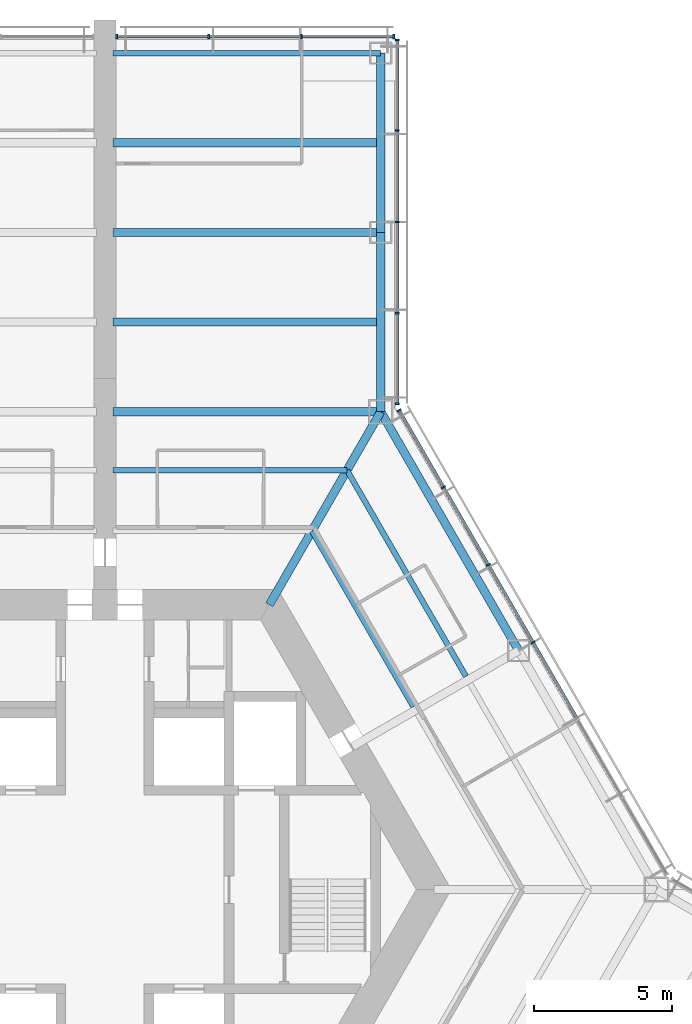
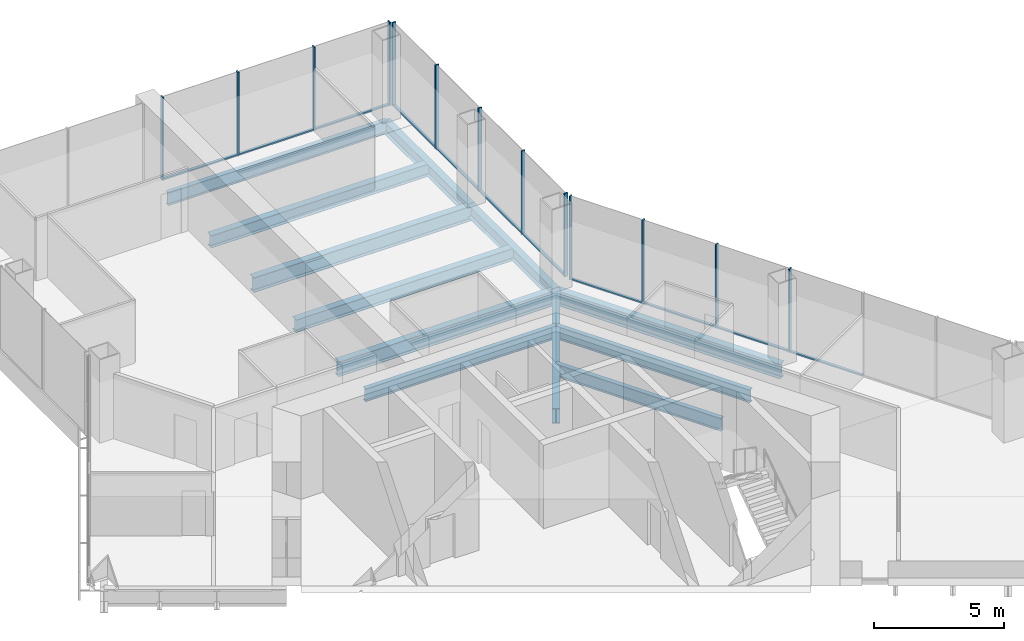
# One storey, part 8 of 18: 24 members, 12 beams, 3 elements without a shape of their own.
"""IFC4 building model written with IfcOpenShell, lengths in metres."""

from ifc_helpers import new_model, si_unit, direction, frame, origin, origin_2d, place, context, subcontext, project, spatial, rectangle, i_section, extrude, material, material_profile, profile_set, type_object, element, aggregate, save


model = new_model("IFC4")

# Units and contexts
model_context = context("Model", 3, precision=1e-05, world=origin(), true_north=direction((0.0, 1.0)))
body_context = subcontext(model_context, "Body", "Model", "MODEL_VIEW")
ifc_project = project(units=[si_unit("LENGTHUNIT", "METRE"), si_unit("AREAUNIT", "SQUARE_METRE"), si_unit("VOLUMEUNIT", "CUBIC_METRE"), si_unit("PLANEANGLEUNIT", "RADIAN"), si_unit("MASSUNIT", "GRAM", prefix="KILO")], contexts=[model_context])

# Site, building, storey
site_placement = place(None, origin())
site = spatial("IfcSite", under=ifc_project, at=site_placement, CompositionType="ELEMENT")
building_placement = place(site_placement, origin())
building = spatial("IfcBuilding", under=site, at=building_placement, Name="Kasaneha Research Tower", CompositionType="ELEMENT")
storey_placement = place(building_placement, frame((0.0, 0.0, 108.0)))
storey = spatial("IfcBuildingStorey", under=building, at=storey_placement, Name="L27", CompositionType="ELEMENT", Elevation=108.0)

# Beams
ifc_material_1 = material(Name="Steel SN490B", Category="steel")
ifc_material_profile_1 = material_profile(ifc_material_1, i_section(OverallWidth=0.199951171875, OverallDepth=0.60009765625, WebThickness=0.010986328125, FlangeThickness=0.01708984375, FilletRadius=0.012939453125, at=origin_2d()), Name="H-600x200x11x17")
ifc_profile_set_1 = profile_set([ifc_material_profile_1], Name="Steel SN490B")
beam_type_1 = type_object("IfcBeamType", Name="B1-3 secondary beam H-600x200x11x17", PredefinedType="JOIST", material=ifc_profile_set_1)
beam_1_placement = place(storey_placement, frame((7.505615234375, 13.0, -0.449951171875), z_axis=(0.499994443168, -0.866028611999, 0.0), x_axis=(0.866028611999, 0.499994443168, 0.0)))
element("IfcBeam", 1, at=beam_1_placement, inside=storey, type_object=beam_type_1, Name="Secondary beam RS030R1 L27", PredefinedType="JOIST", context=body_context, shape_type="SweptSolid", body=[
    extrude(i_section(OverallWidth=0.199951171875, OverallDepth=0.60009765625, WebThickness=0.010986328125, FlangeThickness=0.01708984375, FilletRadius=0.012939453125, at=origin_2d()), origin(), (0.0, 0.0, 1.0), 7.35546875),
])
beam_2_placement = place(storey_placement, frame((8.775634765625, 15.199951171875, -0.449951171875), z_axis=(0.500017275495, -0.866015429543, 0.0), x_axis=(0.866015429543, 0.500017275495, 0.0)))
element("IfcBeam", 2, at=beam_2_placement, inside=storey, type_object=beam_type_1, Name="Secondary beam RS030R2 L27", PredefinedType="JOIST", context=body_context, shape_type="SweptSolid", body=[
    extrude(i_section(OverallWidth=0.199951171875, OverallDepth=0.60009765625, WebThickness=0.010986328125, FlangeThickness=0.01708984375, FilletRadius=0.012939453125, at=origin_2d()), origin(), (0.0, 0.0, 1.0), 8.625732421875),
])
beam_3_placement = place(storey_placement, frame((8.775634765625, 15.199951171875, -0.449951171875), z_axis=(-1.0, 0.0, 0.0), x_axis=(0.0, -1.0, 0.0)))
element("IfcBeam", 3, at=beam_3_placement, inside=storey, type_object=beam_type_1, Name="Secondary beam RS090L2 L27", PredefinedType="JOIST", context=body_context, shape_type="SweptSolid", body=[
    extrude(i_section(OverallWidth=0.199951171875, OverallDepth=0.60009765625, WebThickness=0.010986328125, FlangeThickness=0.01708984375, FilletRadius=0.012939453125, at=origin_2d()), origin(), (0.0, 0.0, 1.0), 8.4755859375),
])
ifc_material_2 = material(Name="Steel SN490B", Category="steel")
ifc_material_profile_2 = material_profile(ifc_material_2, i_section(OverallWidth=0.300048828125, OverallDepth=0.58203125, WebThickness=0.011962890625, FlangeThickness=0.01708984375, FilletRadius=0.012939453125, at=origin_2d()), Name="H-582x300x12x17")
ifc_profile_set_2 = profile_set([ifc_material_profile_2], Name="Steel SN490B")
beam_type_2 = type_object("IfcBeamType", Name="B2-3 secondary beam H-582x300x12x17", PredefinedType="JOIST", material=ifc_profile_set_2)
for number, where, z_axis, x_axis, name in (
    (4, (10.0, 20.570556640625, -0.44091796875), (-1.0, 0.0, 0.0), (0.0, -1.0, 0.0), "Secondary beam WBAP1 L27"),
    (5, (10.0, 27.070556640625, -0.44091796875), (-1.0, 0.0, 0.0), (0.0, -1.0, 0.0), "Secondary beam WBAP2 L27"),
):
    element("IfcBeam", number, at=place(storey_placement, frame(where, z_axis=z_axis, x_axis=x_axis)), inside=storey, type_object=beam_type_2, Name=name, PredefinedType="JOIST", context=body_context, shape_type="SweptSolid", body=[
        extrude(i_section(OverallWidth=0.300048828125, OverallDepth=0.58203125, WebThickness=0.011962890625, FlangeThickness=0.01708984375, FilletRadius=0.012939453125, at=origin_2d()), origin(), (0.0, 0.0, 1.0), 9.699951171875),
    ])

# Curtain wall, members
ifc_material_3 = material(Name="Glass and aluminium", Category="aluminium")
curtain_wall_type = type_object("IfcCurtainWallType", Name="Low-rise office curtain wall", PredefinedType="USERDEFINED", material=ifc_material_3)
curtain_wall_1_placement = place(storey_placement, origin())
curtain_wall_1 = element("IfcCurtainWall", 6, at=curtain_wall_1_placement, inside=storey, type_object=curtain_wall_type, Name="CW-O1 L27 run 07a", ObjectType="UNITISED CURTAIN WALL", PredefinedType="USERDEFINED")
ifc_material_4 = material(Name="Aluminium 6063-T6", Category="aluminium")
ifc_material_profile_3 = material_profile(ifc_material_4, rectangle(XDim=0.06005859375, YDim=0.159912109375, at=origin_2d()), Name="CW-O1 mullion 60x160")
ifc_profile_set_3 = profile_set([ifc_material_profile_3], Name="Aluminium 6063-T6")
member_type_1 = type_object("IfcMemberType", Name="CW-O1 mullion", PredefinedType="MULLION", material=ifc_profile_set_3)
member_1_placement = place(storey_placement, frame((15.51953125, 8.960205078125, 0.0), z_axis=(0.0, 0.0, 1.0), x_axis=(-0.49999996188, 0.866025425793, 0.0)))
member_1 = element("IfcMember", 7, at=member_1_placement, type_object=member_type_1, Name="CW-O1 mullion 4", PredefinedType="MULLION", context=body_context, shape_type="SweptSolid", body=[
    extrude(rectangle(XDim=0.06005859375, YDim=0.159912109375, at=origin_2d()), origin(), (0.0, 0.0, 1.0), 3.89990234375),
])
member_2_placement = place(storey_placement, frame((13.896484375, 11.771728515625, 0.0), z_axis=(0.0, 0.0, 1.0), x_axis=(-0.49999996188, 0.866025425793, 0.0)))
member_2 = element("IfcMember", 8, at=member_2_placement, type_object=member_type_1, Name="CW-O1 mullion 5", PredefinedType="MULLION", context=body_context, shape_type="SweptSolid", body=[
    extrude(rectangle(XDim=0.06005859375, YDim=0.159912109375, at=origin_2d()), origin(), (0.0, 0.0, 1.0), 3.89990234375),
])
member_3_placement = place(storey_placement, frame((12.273193359375, 14.583251953125, 0.0), z_axis=(0.0, 0.0, 1.0), x_axis=(-0.49999996188, 0.866025425793, 0.0)))
member_3 = element("IfcMember", 9, at=member_3_placement, type_object=member_type_1, Name="CW-O1 mullion 6", PredefinedType="MULLION", context=body_context, shape_type="SweptSolid", body=[
    extrude(rectangle(XDim=0.06005859375, YDim=0.159912109375, at=origin_2d()), origin(), (0.0, 0.0, 1.0), 3.89990234375),
])
member_4_placement = place(storey_placement, frame((10.6650390625, 17.36865234375, 0.0), z_axis=(0.0, 0.0, 1.0), x_axis=(-0.49999996188, 0.866025425793, 0.0)))
member_4 = element("IfcMember", 10, at=member_4_placement, type_object=member_type_1, Name="CW-O1 mullion 7", PredefinedType="MULLION", context=body_context, shape_type="SweptSolid", body=[
    extrude(rectangle(XDim=0.06005859375, YDim=0.159912109375, at=origin_2d()), origin(), (0.0, 0.0, 1.0), 3.89990234375),
])

curtain_wall_2_placement = place(storey_placement, origin())
curtain_wall_2 = element("IfcCurtainWall", 11, at=curtain_wall_2_placement, inside=storey, type_object=curtain_wall_type, Name="CW-O1 L27 run 08a", ObjectType="UNITISED CURTAIN WALL", PredefinedType="USERDEFINED")
member_5_placement = place(storey_placement, frame((10.60009765625, 17.611328125, 0.0), z_axis=(0.0, 0.0, 1.0), x_axis=(0.0, 1.0, 0.0)))
member_5 = element("IfcMember", 12, at=member_5_placement, type_object=member_type_1, Name="CW-O1 mullion 1", PredefinedType="MULLION", context=body_context, shape_type="SweptSolid", body=[
    extrude(rectangle(XDim=0.06005859375, YDim=0.159912109375, at=origin_2d()), origin(), (0.0, 0.0, 1.0), 3.89990234375),
])
member_6_placement = place(storey_placement, frame((10.60009765625, 20.89111328125, 0.0), z_axis=(0.0, 0.0, 1.0), x_axis=(0.0, 1.0, 0.0)))
member_6 = element("IfcMember", 13, at=member_6_placement, type_object=member_type_1, Name="CW-O1 mullion 2", PredefinedType="MULLION", context=body_context, shape_type="SweptSolid", body=[
    extrude(rectangle(XDim=0.06005859375, YDim=0.159912109375, at=origin_2d()), origin(), (0.0, 0.0, 1.0), 3.89990234375),
])
member_7_placement = place(storey_placement, frame((10.60009765625, 24.200927734375, 0.0), z_axis=(0.0, 0.0, 1.0), x_axis=(0.0, 1.0, 0.0)))
member_7 = element("IfcMember", 14, at=member_7_placement, type_object=member_type_1, Name="CW-O1 mullion 3", PredefinedType="MULLION", context=body_context, shape_type="SweptSolid", body=[
    extrude(rectangle(XDim=0.06005859375, YDim=0.159912109375, at=origin_2d()), origin(), (0.0, 0.0, 1.0), 3.89990234375),
])
member_8_placement = place(storey_placement, frame((10.60009765625, 27.5107421875, 0.0), z_axis=(0.0, 0.0, 1.0), x_axis=(0.0, 1.0, 0.0)))
member_8 = element("IfcMember", 15, at=member_8_placement, type_object=member_type_1, Name="CW-O1 mullion 4", PredefinedType="MULLION", context=body_context, shape_type="SweptSolid", body=[
    extrude(rectangle(XDim=0.06005859375, YDim=0.159912109375, at=origin_2d()), origin(), (0.0, 0.0, 1.0), 3.89990234375),
])
member_9_placement = place(storey_placement, frame((10.60009765625, 30.79052734375, 0.0), z_axis=(0.0, 0.0, 1.0), x_axis=(0.0, 1.0, 0.0)))
member_9 = element("IfcMember", 16, at=member_9_placement, type_object=member_type_1, Name="CW-O1 mullion 5", PredefinedType="MULLION", context=body_context, shape_type="SweptSolid", body=[
    extrude(rectangle(XDim=0.06005859375, YDim=0.159912109375, at=origin_2d()), origin(), (0.0, 0.0, 1.0), 3.89990234375),
])

curtain_wall_3_placement = place(storey_placement, origin())
curtain_wall_3 = element("IfcCurtainWall", 17, at=curtain_wall_3_placement, inside=storey, type_object=curtain_wall_type, Name="CW-O1 L27 run 09a", ObjectType="UNITISED CURTAIN WALL", PredefinedType="USERDEFINED")
member_10_placement = place(storey_placement, frame((10.469970703125, 30.92041015625, 0.0), z_axis=(0.0, 0.0, 1.0), x_axis=(-1.0, 0.0, 0.0)))
member_10 = element("IfcMember", 18, at=member_10_placement, type_object=member_type_1, Name="CW-O1 mullion 1", PredefinedType="MULLION", context=body_context, shape_type="SweptSolid", body=[
    extrude(rectangle(XDim=0.06005859375, YDim=0.159912109375, at=origin_2d()), origin(), (0.0, 0.0, 1.0), 3.89990234375),
])
member_11_placement = place(storey_placement, frame((7.13330078125, 30.92041015625, 0.0), z_axis=(0.0, 0.0, 1.0), x_axis=(-1.0, 0.0, 0.0)))
member_11 = element("IfcMember", 19, at=member_11_placement, type_object=member_type_1, Name="CW-O1 mullion 2", PredefinedType="MULLION", context=body_context, shape_type="SweptSolid", body=[
    extrude(rectangle(XDim=0.06005859375, YDim=0.159912109375, at=origin_2d()), origin(), (0.0, 0.0, 1.0), 3.89990234375),
])
member_12_placement = place(storey_placement, frame((3.7666015625, 30.92041015625, 0.0), z_axis=(0.0, 0.0, 1.0), x_axis=(-1.0, 0.0, 0.0)))
member_12 = element("IfcMember", 20, at=member_12_placement, type_object=member_type_1, Name="CW-O1 mullion 3", PredefinedType="MULLION", context=body_context, shape_type="SweptSolid", body=[
    extrude(rectangle(XDim=0.06005859375, YDim=0.159912109375, at=origin_2d()), origin(), (0.0, 0.0, 1.0), 3.89990234375),
])
member_13_placement = place(storey_placement, frame((0.429931640625, 30.92041015625, 0.0), z_axis=(0.0, 0.0, 1.0), x_axis=(-1.0, 0.0, 0.0)))
member_13 = element("IfcMember", 21, at=member_13_placement, type_object=member_type_1, Name="CW-O1 mullion 4", PredefinedType="MULLION", context=body_context, shape_type="SweptSolid", body=[
    extrude(rectangle(XDim=0.06005859375, YDim=0.159912109375, at=origin_2d()), origin(), (0.0, 0.0, 1.0), 3.89990234375),
])

# Member
ifc_material_5 = material(Name="Aluminium 6063-T6", Category="aluminium")
ifc_material_profile_4 = material_profile(ifc_material_5, rectangle(XDim=0.1201171875, YDim=0.06005859375, at=origin_2d()), Name="CW-O1 transom 120x60")
ifc_profile_set_4 = profile_set([ifc_material_profile_4], Name="Aluminium 6063-T6")
member_type_2 = type_object("IfcMemberType", Name="CW-O1 transom", PredefinedType="USERDEFINED", material=ifc_profile_set_4)
member_14_placement = place(storey_placement, frame((17.1279296875, 6.1748046875, 0.030029296875), z_axis=(-0.500012062035, 0.866018439653, 0.0), x_axis=(-0.866018439653, -0.500012062035, 0.0)))
member_14 = element("IfcMember", 22, at=member_14_placement, type_object=member_type_2, Name="CW-O1 transom 3", ObjectType="TRANSOM", PredefinedType="USERDEFINED", context=body_context, shape_type="SweptSolid", body=[
    extrude(rectangle(XDim=0.1201171875, YDim=0.06005859375, at=origin_2d()), origin(), (0.0, 0.0, 1.0), 3.1865234375),
])

member_15_placement = place(storey_placement, frame((15.504638671875, 8.986328125, 0.030029296875), z_axis=(-0.500012062035, 0.866018439653, 0.0), x_axis=(-0.866018439653, -0.500012062035, 0.0)))
member_15 = element("IfcMember", 23, at=member_15_placement, type_object=member_type_2, Name="CW-O1 transom 4", ObjectType="TRANSOM", PredefinedType="USERDEFINED", context=body_context, shape_type="SweptSolid", body=[
    extrude(rectangle(XDim=0.1201171875, YDim=0.06005859375, at=origin_2d()), origin(), (0.0, 0.0, 1.0), 3.1865234375),
])

member_16_placement = place(storey_placement, frame((13.88134765625, 11.797607421875, 0.030029296875), z_axis=(-0.500012062035, 0.866018439653, 0.0), x_axis=(-0.866018439653, -0.500012062035, 0.0)))
member_16 = element("IfcMember", 24, at=member_16_placement, type_object=member_type_2, Name="CW-O1 transom 5", ObjectType="TRANSOM", PredefinedType="USERDEFINED", context=body_context, shape_type="SweptSolid", body=[
    extrude(rectangle(XDim=0.1201171875, YDim=0.06005859375, at=origin_2d()), origin(), (0.0, 0.0, 1.0), 3.1865234375),
])

member_17_placement = place(storey_placement, frame((12.25830078125, 14.609130859375, 0.030029296875), z_axis=(-0.500023726918, 0.866011704609, 0.0), x_axis=(-0.866011704609, -0.500023726918, 0.0)))
member_17 = element("IfcMember", 25, at=member_17_placement, type_object=member_type_2, Name="CW-O1 transom 6", ObjectType="TRANSOM", PredefinedType="USERDEFINED", context=body_context, shape_type="SweptSolid", body=[
    extrude(rectangle(XDim=0.1201171875, YDim=0.06005859375, at=origin_2d()), origin(), (0.0, 0.0, 1.0), 3.156494140625),
])

aggregate(curtain_wall_1, [member_1, member_2, member_3, member_4, member_14, member_15, member_16, member_17])

member_18_placement = place(storey_placement, frame((10.60009765625, 17.641357421875, 0.030029296875), z_axis=(0.0, 1.0, 0.0), x_axis=(-1.0, 0.0, 0.0)))
member_18 = element("IfcMember", 26, at=member_18_placement, type_object=member_type_2, Name="CW-O1 transom 1", ObjectType="TRANSOM", PredefinedType="USERDEFINED", context=body_context, shape_type="SweptSolid", body=[
    extrude(rectangle(XDim=0.1201171875, YDim=0.06005859375, at=origin_2d()), origin(), (0.0, 0.0, 1.0), 3.2197265625),
])

member_19_placement = place(storey_placement, frame((10.60009765625, 20.921142578125, 0.030029296875), z_axis=(0.0, 1.0, 0.0), x_axis=(-1.0, 0.0, 0.0)))
member_19 = element("IfcMember", 27, at=member_19_placement, type_object=member_type_2, Name="CW-O1 transom 2", ObjectType="TRANSOM", PredefinedType="USERDEFINED", context=body_context, shape_type="SweptSolid", body=[
    extrude(rectangle(XDim=0.1201171875, YDim=0.06005859375, at=origin_2d()), origin(), (0.0, 0.0, 1.0), 3.249755859375),
])

member_20_placement = place(storey_placement, frame((10.60009765625, 24.23095703125, 0.030029296875), z_axis=(0.0, 1.0, 0.0), x_axis=(-1.0, 0.0, 0.0)))
member_20 = element("IfcMember", 28, at=member_20_placement, type_object=member_type_2, Name="CW-O1 transom 3", ObjectType="TRANSOM", PredefinedType="USERDEFINED", context=body_context, shape_type="SweptSolid", body=[
    extrude(rectangle(XDim=0.1201171875, YDim=0.06005859375, at=origin_2d()), origin(), (0.0, 0.0, 1.0), 3.249755859375),
])

member_21_placement = place(storey_placement, frame((10.60009765625, 27.540771484375, 0.030029296875), z_axis=(0.0, 1.0, 0.0), x_axis=(-1.0, 0.0, 0.0)))
member_21 = element("IfcMember", 29, at=member_21_placement, type_object=member_type_2, Name="CW-O1 transom 4", ObjectType="TRANSOM", PredefinedType="USERDEFINED", context=body_context, shape_type="SweptSolid", body=[
    extrude(rectangle(XDim=0.1201171875, YDim=0.06005859375, at=origin_2d()), origin(), (0.0, 0.0, 1.0), 3.2197265625),
])

aggregate(curtain_wall_2, [member_5, member_6, member_7, member_8, member_9, member_18, member_19, member_20, member_21])

member_22_placement = place(storey_placement, frame((10.43994140625, 30.92041015625, 0.030029296875), z_axis=(-1.0, 0.0, 0.0), x_axis=(0.0, -1.0, 0.0)))
member_22 = element("IfcMember", 30, at=member_22_placement, type_object=member_type_2, Name="CW-O1 transom 1", ObjectType="TRANSOM", PredefinedType="USERDEFINED", context=body_context, shape_type="SweptSolid", body=[
    extrude(rectangle(XDim=0.1201171875, YDim=0.06005859375, at=origin_2d()), origin(), (0.0, 0.0, 1.0), 3.276611328125),
])

member_23_placement = place(storey_placement, frame((7.103271484375, 30.92041015625, 0.030029296875), z_axis=(-1.0, 0.0, 0.0), x_axis=(0.0, -1.0, 0.0)))
member_23 = element("IfcMember", 31, at=member_23_placement, type_object=member_type_2, Name="CW-O1 transom 2", ObjectType="TRANSOM", PredefinedType="USERDEFINED", context=body_context, shape_type="SweptSolid", body=[
    extrude(rectangle(XDim=0.1201171875, YDim=0.06005859375, at=origin_2d()), origin(), (0.0, 0.0, 1.0), 3.306640625),
])

member_24_placement = place(storey_placement, frame((3.736572265625, 30.92041015625, 0.030029296875), z_axis=(-1.0, 0.0, 0.0), x_axis=(0.0, -1.0, 0.0)))
member_24 = element("IfcMember", 32, at=member_24_placement, type_object=member_type_2, Name="CW-O1 transom 3", ObjectType="TRANSOM", PredefinedType="USERDEFINED", context=body_context, shape_type="SweptSolid", body=[
    extrude(rectangle(XDim=0.1201171875, YDim=0.06005859375, at=origin_2d()), origin(), (0.0, 0.0, 1.0), 3.276611328125),
])

aggregate(curtain_wall_3, [member_10, member_11, member_12, member_13, member_22, member_23, member_24])

# Beams
ifc_material_6 = material(Name="Steel SN490B", Category="steel")
ifc_material_profile_5 = material_profile(ifc_material_6, i_section(OverallWidth=0.300048828125, OverallDepth=0.699951171875, WebThickness=0.012939453125, FlangeThickness=0.02392578125, FilletRadius=0.01806640625, at=origin_2d()), Name="H-700x300x13x24")
ifc_profile_set_5 = profile_set([ifc_material_profile_5], Name="Steel SN490B")
beam_type_3 = type_object("IfcBeamType", Name="G1-3 radial girder H-700x300x13x24", PredefinedType="BEAM", material=ifc_profile_set_5)
beam_4_placement = place(storey_placement, frame((5.961181640625, 10.324951171875, -0.5), z_axis=(0.49999105496, 0.866030568144, 0.0), x_axis=(-0.866030568144, 0.49999105496, 0.0)))
element("IfcBeam", 33, at=beam_4_placement, inside=storey, type_object=beam_type_3, Name="Radial girder RV060 L27", PredefinedType="BEAM", context=body_context, shape_type="SweptSolid", body=[
    extrude(i_section(OverallWidth=0.300048828125, OverallDepth=0.699951171875, WebThickness=0.012939453125, FlangeThickness=0.02392578125, FilletRadius=0.01806640625, at=origin_2d()), origin(), (0.0, 0.0, 1.0), 8.077880859375),
])
ifc_material_7 = material(Name="Steel SN490B", Category="steel")
ifc_material_profile_6 = material_profile(ifc_material_7, i_section(OverallWidth=0.300048828125, OverallDepth=0.69189453125, WebThickness=0.012939453125, FlangeThickness=0.02001953125, FilletRadius=0.01806640625, at=origin_2d()), Name="H-692x300x13x20")
ifc_profile_set_6 = profile_set([ifc_material_profile_6], Name="Steel SN490B")
beam_type_4 = type_object("IfcBeamType", Name="G3-3 plate edge girder H-692x300x13x20", PredefinedType="BEAM", material=ifc_profile_set_6)
beam_5_placement = place(storey_placement, frame((10.0, 17.320556640625, -0.49609375), z_axis=(-1.0, 0.0, 0.0), x_axis=(0.0, -1.0, 0.0)))
element("IfcBeam", 34, at=beam_5_placement, inside=storey, type_object=beam_type_4, Name="Plate edge girder PEAP L27", PredefinedType="BEAM", context=body_context, shape_type="SweptSolid", body=[
    extrude(i_section(OverallWidth=0.300048828125, OverallDepth=0.69189453125, WebThickness=0.012939453125, FlangeThickness=0.02001953125, FilletRadius=0.01806640625, at=origin_2d()), origin(), (0.0, 0.0, 1.0), 9.699951171875),
])
ifc_material_8 = material(Name="Steel SN490B", Category="steel")
ifc_material_profile_7 = material_profile(ifc_material_8, i_section(OverallWidth=0.300048828125, OverallDepth=0.699951171875, WebThickness=0.012939453125, FlangeThickness=0.02392578125, FilletRadius=0.01806640625, at=origin_2d()), Name="H-700x300x13x24")
ifc_profile_set_7 = profile_set([ifc_material_profile_7], Name="Steel SN490B")
beam_type_5 = type_object("IfcBeamType", Name="G4-3 wing girder H-700x300x13x24", PredefinedType="BEAM", material=ifc_profile_set_7)
beam_6_placement = place(storey_placement, frame((10.0, 23.820556640625, -0.5), z_axis=(-1.0, 0.0, 0.0), x_axis=(0.0, -1.0, 0.0)))
element("IfcBeam", 35, at=beam_6_placement, inside=storey, type_object=beam_type_5, Name="Wing girder WGAP L27", PredefinedType="BEAM", context=body_context, shape_type="SweptSolid", body=[
    extrude(i_section(OverallWidth=0.300048828125, OverallDepth=0.699951171875, WebThickness=0.012939453125, FlangeThickness=0.02392578125, FilletRadius=0.01806640625, at=origin_2d()), origin(), (0.0, 0.0, 1.0), 9.699951171875),
])
ifc_material_9 = material(Name="Steel SN490B", Category="steel")
ifc_material_profile_8 = material_profile(ifc_material_9, i_section(OverallWidth=0.300048828125, OverallDepth=0.69189453125, WebThickness=0.012939453125, FlangeThickness=0.02001953125, FilletRadius=0.01806640625, at=origin_2d()), Name="H-692x300x13x20")
ifc_profile_set_8 = profile_set([ifc_material_profile_8], Name="Steel SN490B")
beam_type_6 = type_object("IfcBeamType", Name="SB1-3 spandrel beam H-692x300x13x20", PredefinedType="SPANDREL", material=ifc_profile_set_8)
beam_7_placement = place(storey_placement, frame((10.0, 17.320556640625, -0.49609375), z_axis=(0.499993662806, -0.866029062534, 0.0), x_axis=(0.866029062534, 0.499993662806, 0.0)))
element("IfcBeam", 36, at=beam_7_placement, inside=storey, type_object=beam_type_6, Name="Spandrel beam SR030R L27", PredefinedType="SPANDREL", context=body_context, shape_type="SweptSolid", body=[
    extrude(i_section(OverallWidth=0.300048828125, OverallDepth=0.69189453125, WebThickness=0.012939453125, FlangeThickness=0.02001953125, FilletRadius=0.01806640625, at=origin_2d()), origin(), (0.0, 0.0, 1.0), 10.000244140625),
])
ifc_material_10 = material(Name="Steel SN490B", Category="steel")
ifc_material_profile_9 = material_profile(ifc_material_10, i_section(OverallWidth=0.300048828125, OverallDepth=0.58203125, WebThickness=0.011962890625, FlangeThickness=0.01708984375, FilletRadius=0.012939453125, at=origin_2d()), Name="H-582x300x12x17")
ifc_profile_set_9 = profile_set([ifc_material_profile_9], Name="Steel SN490B")
beam_type_7 = type_object("IfcBeamType", Name="SB2-3 spandrel beam H-582x300x12x17", PredefinedType="SPANDREL", material=ifc_profile_set_9)
for number, where, z_axis, x_axis, name in (
    (37, (10.0, 17.320556640625, -0.44091796875), (0.0, 1.0, 0.0), (-1.0, 0.0, 0.0), "Spandrel beam WSAP1 L27"),
    (38, (10.0, 23.820556640625, -0.44091796875), (0.0, 1.0, 0.0), (-1.0, 0.0, 0.0), "Spandrel beam WSAP2 L27"),
):
    element("IfcBeam", number, at=place(storey_placement, frame(where, z_axis=z_axis, x_axis=x_axis)), inside=storey, type_object=beam_type_7, Name=name, PredefinedType="SPANDREL", context=body_context, shape_type="SweptSolid", body=[
        extrude(i_section(OverallWidth=0.300048828125, OverallDepth=0.58203125, WebThickness=0.011962890625, FlangeThickness=0.01708984375, FilletRadius=0.012939453125, at=origin_2d()), origin(), (0.0, 0.0, 1.0), 6.5),
    ])
ifc_material_11 = material(Name="Steel SN490B", Category="steel")
ifc_material_profile_10 = material_profile(ifc_material_11, i_section(OverallWidth=0.199951171875, OverallDepth=0.60009765625, WebThickness=0.010986328125, FlangeThickness=0.01708984375, FilletRadius=0.012939453125, at=origin_2d()), Name="H-600x200x11x17")
ifc_profile_set_10 = profile_set([ifc_material_profile_10], Name="Steel SN490B")
beam_type_8 = type_object("IfcBeamType", Name="SB3-3 spandrel beam H-600x200x11x17", PredefinedType="SPANDREL", material=ifc_profile_set_10)
beam_8_placement = place(storey_placement, frame((10.0, 30.320556640625, -0.449951171875), z_axis=(-1.0, 0.0, 0.0), x_axis=(0.0, -1.0, 0.0)))
element("IfcBeam", 39, at=beam_8_placement, inside=storey, type_object=beam_type_8, Name="Spandrel beam WTAP L27", PredefinedType="SPANDREL", context=body_context, shape_type="SweptSolid", body=[
    extrude(i_section(OverallWidth=0.199951171875, OverallDepth=0.60009765625, WebThickness=0.010986328125, FlangeThickness=0.01708984375, FilletRadius=0.012939453125, at=origin_2d()), origin(), (0.0, 0.0, 1.0), 9.699951171875),
])

save(model, "model.ifc")
